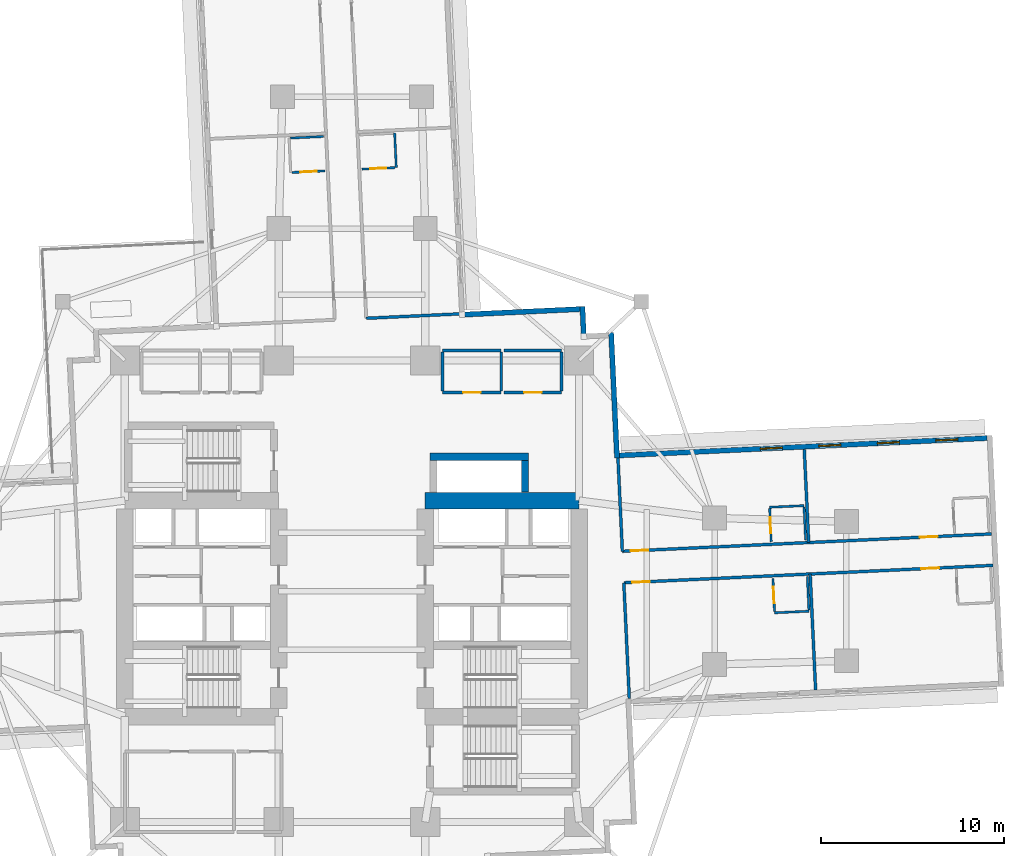
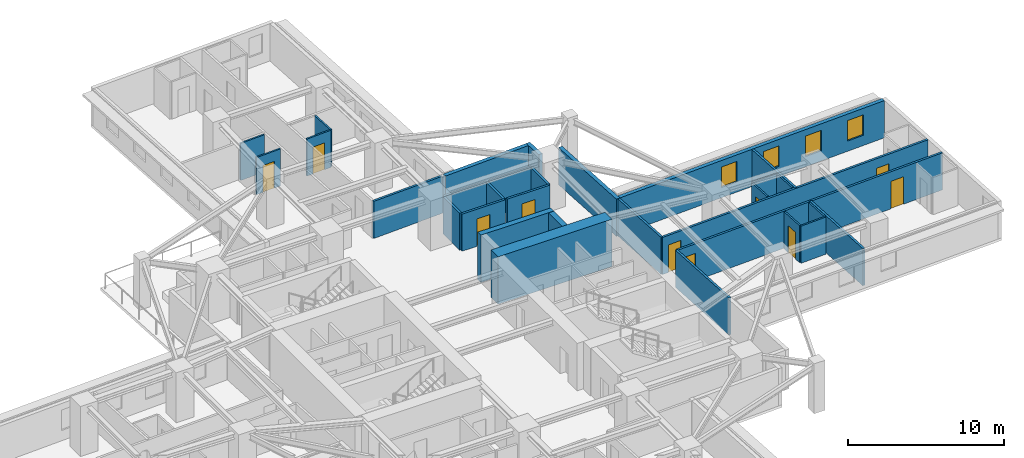
# One storey, part 7 of 14: 31 walls, 10 doors, 4 windows, 14 openings.
"""IFC4 building model written with IfcOpenShell, lengths in metres."""

from ifc_helpers import new_model, si_unit, direction, frame, frame_2d, origin, place, context, subcontext, project, spatial, rectangle, extrude, material, layer, layer_set, type_object, element, fill, save


model = new_model("IFC4")

# Units and contexts
model_context = context("Model", 3, precision=1e-05, world=origin(), true_north=direction((0.0, 1.0)))
body_context = subcontext(model_context, "Body", "Model", "MODEL_VIEW")
ifc_project = project(units=[si_unit("LENGTHUNIT", "METRE"), si_unit("AREAUNIT", "SQUARE_METRE"), si_unit("VOLUMEUNIT", "CUBIC_METRE"), si_unit("PLANEANGLEUNIT", "RADIAN"), si_unit("MASSUNIT", "GRAM", prefix="KILO")], contexts=[model_context])

# Site, building, storey
site_placement = place(None, origin())
site = spatial("IfcSite", under=ifc_project, at=site_placement, CompositionType="ELEMENT")
building_placement = place(site_placement, origin())
building = spatial("IfcBuilding", under=site, at=building_placement, Name="Qingluan Cross Belvedere", CompositionType="ELEMENT")
storey_placement = place(building_placement, frame((0.0, 0.0, 35.39990234375)))
storey = spatial("IfcBuildingStorey", under=building, at=storey_placement, Name="L09", CompositionType="ELEMENT", Elevation=35.39990234375)

# Walls
ifc_material_1 = material(Name="Concrete C50", Category="concrete")
ifc_layer_1 = layer(ifc_material_1, 0.449951171875, Name="CoreShearWall_450")
ifc_layer_set_1 = layer_set([ifc_layer_1], Name="Concrete C50")
wall_type_1 = type_object("IfcWallType", Name="CoreShearWall_450", PredefinedType="SHEAR", material=ifc_layer_set_1)
wall_1_placement = place(storey_placement, frame((4.25, 7.35009765625, 0.0), z_axis=(0.0, 0.0, 1.0), x_axis=(1.0, 0.0, 0.0)))
element("IfcWall", 1, at=wall_1_placement, inside=storey, type_object=wall_type_1, Name="Express shuttle core wall L09-N", PredefinedType="SHEAR", context=body_context, shape_type="SweptSolid", body=[
    extrude(rectangle(XDim=5.39990234375, YDim=0.39990234375, at=frame_2d((2.699951171875, 0.0))), origin(), (0.0, 0.0, 1.0), 3.7001953125),
])
wall_2_placement = place(storey_placement, frame((9.449951171875, 5.405029296875, 0.0), z_axis=(0.0, 0.0, 1.0), x_axis=(0.0, 1.0, 0.0)))
element("IfcWall", 2, at=wall_2_placement, inside=storey, type_object=wall_type_1, Name="Express shuttle core wall L09-E", PredefinedType="SHEAR", context=body_context, shape_type="SweptSolid", body=[
    extrude(rectangle(XDim=1.73486328125, YDim=0.39990234375, at=frame_2d((0.867431640625, 0.0))), origin(), (0.0, 0.0, 1.0), 3.7001953125),
])
ifc_material_2 = material(Name="Concrete C70", Category="concrete")
ifc_layer_2 = layer(ifc_material_2, 0.89990234375, Name="CoreShearWall_900")
ifc_layer_set_2 = layer_set([ifc_layer_2], Name="Concrete C70")
wall_type_2 = type_object("IfcWallType", Name="CoreShearWall_900", PredefinedType="SHEAR", material=ifc_layer_set_2)
wall_3_placement = place(storey_placement, frame((4.0, 4.949951171875, 0.0), z_axis=(0.0, 0.0, 1.0), x_axis=(1.0, 0.0, 0.0)))
element("IfcWall", 3, at=wall_3_placement, inside=storey, type_object=wall_type_2, Name="Split core E shear wall L09-N", PredefinedType="SHEAR", context=body_context, shape_type="SweptSolid", body=[
    extrude(rectangle(XDim=8.39990234375, YDim=0.89990234375, at=frame_2d((4.199951171875, 0.0))), origin(), (0.0, 0.0, 1.0), 3.7001953125),
])

# Wall, opening, door
ifc_material_3 = material(Name="Gypsum plasterboard on steel stud acoustic partition", Category="steel")
ifc_layer_3 = layer(ifc_material_3, 0.159912109375, Name="CorridorPartition_160")
ifc_layer_set_3 = layer_set([ifc_layer_3], Name="Gypsum plasterboard on steel stud acoustic partition")
wall_type_3 = type_object("IfcWallType", Name="CorridorPartition_160", PredefinedType="PARTITIONING", material=ifc_layer_set_3)
wall_4_placement = place(storey_placement, frame((4.949951171875, 10.85009765625, 0.0), z_axis=(0.0, 0.0, 1.0), x_axis=(1.0, 0.0, 0.0)))
wall_4 = element("IfcWall", 4, at=wall_4_placement, inside=storey, type_object=wall_type_3, Name="Partition L09:q_ne1:S", PredefinedType="PARTITIONING", context=body_context, shape_type="SweptSolid", body=[
    extrude(rectangle(XDim=3.199951171875, YDim=0.159912109375, at=frame_2d((1.60009765625, 0.0))), origin(), (0.0, 0.0, 1.0), 2.900146484375),
])
opening_1_placement = place(wall_4_placement, frame((1.1201171875, 0.0, 0.0)))
opening_1 = element("IfcOpeningElement", 5, at=opening_1_placement, cuts=wall_4, Name="Opening GD-10", PredefinedType="OPENING", context=body_context, shape_type="SweptSolid", body=[
    extrude(rectangle(XDim=0.9599609375, YDim=2.14990234375, at=frame_2d((0.47998046875, 1.074951171875))), frame((0.0, 0.08984375, 0.0), z_axis=(0.0, -1.0, 0.0), x_axis=(1.0, 0.0, 0.0)), (0.0, 0.0, 1.0), 0.179931640625),
])
ifc_material_4 = material(Name="Timber oak fire-rated acoustic guestroom door", Category="wood")
door_type_1 = type_object("IfcDoorType", Name="GuestEntryDoor_FD60", OperationType="NOTDEFINED", PredefinedType="DOOR", material=ifc_material_4)
door_1_placement = place(opening_1_placement, origin())
door_1 = element("IfcDoor", 6, at=door_1_placement, inside=storey, type_object=door_type_1, Name="Presidential dining salon L09 door", OperationType="SINGLE_SWING_LEFT", OverallHeight=2.14990234375, OverallWidth=0.9599609375, PredefinedType="DOOR", context=body_context, shape_type="SweptSolid", body=[
    extrude(rectangle(XDim=0.9599609375, YDim=2.14990234375, at=frame_2d((0.47998046875, 1.074951171875))), frame((0.0, 0.02490234375, 0.0), z_axis=(0.0, -1.0, 0.0), x_axis=(1.0, 0.0, 0.0)), (0.0, 0.0, 1.0), 0.050048828125),
])
fill(opening_1, door_1)

# Walls
wall_5_placement = place(storey_placement, frame((4.949951171875, 13.14990234375, 0.0), z_axis=(0.0, 0.0, 1.0), x_axis=(1.0, 0.0, 0.0)))
element("IfcWall", 7, at=wall_5_placement, inside=storey, type_object=wall_type_3, Name="Partition L09:q_ne1:N", PredefinedType="PARTITIONING", context=body_context, shape_type="SweptSolid", body=[
    extrude(rectangle(XDim=3.199951171875, YDim=0.159912109375, at=frame_2d((1.60009765625, 0.0))), origin(), (0.0, 0.0, 1.0), 2.900146484375),
])
for number, where, z_axis, x_axis, name in (
    (8, (4.949951171875, 10.93505859375, 0.0), (0.0, 0.0, 1.0), (0.0, 1.0, 0.0), "Partition L09:q_ne1:W"),
    (9, (8.14990234375, 10.93505859375, 0.0), (0.0, 0.0, 1.0), (0.0, 1.0, 0.0), "Partition L09:q_ne1:E"),
):
    element("IfcWall", number, at=place(storey_placement, frame(where, z_axis=z_axis, x_axis=x_axis)), inside=storey, type_object=wall_type_3, Name=name, PredefinedType="PARTITIONING", context=body_context, shape_type="SweptSolid", body=[
        extrude(rectangle(XDim=2.1298828125, YDim=0.159912109375, at=frame_2d((1.06494140625, 0.0))), origin(), (0.0, 0.0, 1.0), 2.900146484375),
    ])

# Wall, opening, door
wall_6_placement = place(storey_placement, frame((8.31005859375, 10.85009765625, 0.0), z_axis=(0.0, 0.0, 1.0), x_axis=(1.0, 0.0, 0.0)))
wall_6 = element("IfcWall", 10, at=wall_6_placement, inside=storey, type_object=wall_type_3, Name="Partition L09:q_ne2:S", PredefinedType="PARTITIONING", context=body_context, shape_type="SweptSolid", body=[
    extrude(rectangle(XDim=3.139892578125, YDim=0.159912109375, at=frame_2d((1.56982421875, 0.0))), origin(), (0.0, 0.0, 1.0), 2.900146484375),
])
opening_2_placement = place(wall_6_placement, frame((1.090087890625, 0.0, 0.0)))
opening_2 = element("IfcOpeningElement", 11, at=opening_2_placement, cuts=wall_6, Name="Opening GD-10", PredefinedType="OPENING", context=body_context, shape_type="SweptSolid", body=[
    extrude(rectangle(XDim=0.9599609375, YDim=2.14990234375, at=frame_2d((0.47998046875, 1.074951171875))), frame((0.0, 0.08984375, 0.0), z_axis=(0.0, -1.0, 0.0), x_axis=(1.0, 0.0, 0.0)), (0.0, 0.0, 1.0), 0.179931640625),
])
door_2_placement = place(opening_2_placement, origin())
door_2 = element("IfcDoor", 12, at=door_2_placement, inside=storey, type_object=door_type_1, Name="Northeast quiet study L09 door", OperationType="SINGLE_SWING_RIGHT", OverallHeight=2.14990234375, OverallWidth=0.9599609375, PredefinedType="DOOR", context=body_context, shape_type="SweptSolid", body=[
    extrude(rectangle(XDim=0.9599609375, YDim=2.14990234375, at=frame_2d((0.47998046875, 1.074951171875))), frame((0.0, 0.02490234375, 0.0), z_axis=(0.0, -1.0, 0.0), x_axis=(1.0, 0.0, 0.0)), (0.0, 0.0, 1.0), 0.050048828125),
])
fill(opening_2, door_2)

# Walls
wall_7_placement = place(storey_placement, frame((8.31005859375, 13.14990234375, 0.0), z_axis=(0.0, 0.0, 1.0), x_axis=(1.0, 0.0, 0.0)))
element("IfcWall", 13, at=wall_7_placement, inside=storey, type_object=wall_type_3, Name="Partition L09:q_ne2:N", PredefinedType="PARTITIONING", context=body_context, shape_type="SweptSolid", body=[
    extrude(rectangle(XDim=3.139892578125, YDim=0.159912109375, at=frame_2d((1.56982421875, 0.0))), origin(), (0.0, 0.0, 1.0), 2.900146484375),
])
wall_8_placement = place(storey_placement, frame((11.449951171875, 10.93505859375, 0.0), z_axis=(0.0, 0.0, 1.0), x_axis=(0.0, 1.0, 0.0)))
element("IfcWall", 14, at=wall_8_placement, inside=storey, type_object=wall_type_3, Name="Partition L09:q_ne2:E", PredefinedType="PARTITIONING", context=body_context, shape_type="SweptSolid", body=[
    extrude(rectangle(XDim=2.1298828125, YDim=0.159912109375, at=frame_2d((1.06494140625, 0.0))), origin(), (0.0, 0.0, 1.0), 2.900146484375),
])

# Wall, openings, doors
wall_9_placement = place(storey_placement, frame((14.763916015625, 2.177978515625, 0.0), z_axis=(0.0, 0.0, 1.0), x_axis=(0.998889899911, 0.047105921672, 0.0)))
wall_9 = element("IfcWall", 15, at=wall_9_placement, inside=storey, type_object=wall_type_3, Name="Partition L09:E:c0", PredefinedType="PARTITIONING", context=body_context, shape_type="SweptSolid", body=[
    extrude(rectangle(XDim=20.181884765625, YDim=0.159912109375, at=frame_2d((10.0908203125, 0.0))), origin(), (0.0, 0.0, 1.0), 2.900146484375),
])
opening_3_placement = place(wall_9_placement, frame((0.449951171875, 0.0, 0.0)))
opening_3 = element("IfcOpeningElement", 16, at=opening_3_placement, cuts=wall_9, Name="Opening GD-10", PredefinedType="OPENING", context=body_context, shape_type="SweptSolid", body=[
    extrude(rectangle(XDim=0.9599609375, YDim=2.14990234375, at=frame_2d((0.47998046875, 1.074951171875))), frame((0.0, 0.08984375, 0.0), z_axis=(0.0, -1.0, 0.0), x_axis=(1.0, 0.0, 0.0)), (0.0, 0.0, 1.0), 0.179931640625),
])
opening_4_placement = place(wall_9_placement, frame((16.26806640625, 0.0, 0.0)))
opening_4 = element("IfcOpeningElement", 17, at=opening_4_placement, cuts=wall_9, Name="Opening GD-10", PredefinedType="OPENING", context=body_context, shape_type="SweptSolid", body=[
    extrude(rectangle(XDim=0.9599609375, YDim=2.14990234375, at=frame_2d((0.47998046875, 1.074951171875))), frame((0.0, 0.08984375, 0.0), z_axis=(0.0, -1.0, 0.0), x_axis=(1.0, 0.0, 0.0)), (0.0, 0.0, 1.0), 0.179931640625),
])
door_3_placement = place(opening_3_placement, origin())
door_3 = element("IfcDoor", 18, at=door_3_placement, inside=storey, type_object=door_type_1, Name="Guest entry fire door 0901", OperationType="SINGLE_SWING_LEFT", OverallHeight=2.14990234375, OverallWidth=0.9599609375, PredefinedType="DOOR", context=body_context, shape_type="SweptSolid", body=[
    extrude(rectangle(XDim=0.9599609375, YDim=2.14990234375, at=frame_2d((0.47998046875, 1.074951171875))), frame((0.0, 0.02490234375, 0.0), z_axis=(0.0, -1.0, 0.0), x_axis=(1.0, 0.0, 0.0)), (0.0, 0.0, 1.0), 0.050048828125),
])
fill(opening_3, door_3)
door_4_placement = place(opening_4_placement, origin())
door_4 = element("IfcDoor", 19, at=door_4_placement, inside=storey, type_object=door_type_1, Name="Guest entry fire door 0902", OperationType="SINGLE_SWING_LEFT", OverallHeight=2.14990234375, OverallWidth=0.9599609375, PredefinedType="DOOR", context=body_context, shape_type="SweptSolid", body=[
    extrude(rectangle(XDim=0.9599609375, YDim=2.14990234375, at=frame_2d((0.47998046875, 1.074951171875))), frame((0.0, 0.02490234375, 0.0), z_axis=(0.0, -1.0, 0.0), x_axis=(1.0, 0.0, 0.0)), (0.0, 0.0, 1.0), 0.050048828125),
])
fill(opening_4, door_4)

# Walls
wall_10_placement = place(storey_placement, frame((14.763916015625, 2.177978515625, 0.0), z_axis=(0.0, 0.0, 1.0), x_axis=(-0.047130059153, 0.998888761336, 0.0)))
element("IfcWall", 20, at=wall_10_placement, inside=storey, type_object=wall_type_3, Name="Partition L09:E:s0", PredefinedType="PARTITIONING", context=body_context, shape_type="SweptSolid", body=[
    extrude(rectangle(XDim=5.092041015625, YDim=0.159912109375, at=frame_2d((2.5458984375, 0.0))), origin(), (0.0, 0.0, 1.0), 2.900146484375),
])
wall_11_placement = place(storey_placement, frame((24.9375, 2.65771484375, 0.0), z_axis=(0.0, 0.0, 1.0), x_axis=(-0.047084475335, 0.998890911052, 0.0)))
element("IfcWall", 21, at=wall_11_placement, inside=storey, type_object=wall_type_3, Name="Partition L09:E:d0_0", PredefinedType="PARTITIONING", context=body_context, shape_type="SweptSolid", body=[
    extrude(rectangle(XDim=5.091796875, YDim=0.159912109375, at=frame_2d((2.5458984375, 0.0))), origin(), (0.0, 0.0, 1.0), 2.900146484375),
])

# Wall, openings, doors
wall_12_placement = place(storey_placement, frame((14.8447265625, 0.459716796875, 0.0), z_axis=(0.0, 0.0, 1.0), x_axis=(0.998889926753, 0.047105352469, 0.0)))
wall_12 = element("IfcWall", 22, at=wall_12_placement, inside=storey, type_object=wall_type_3, Name="Partition L09:E:c1", PredefinedType="PARTITIONING", context=body_context, shape_type="SweptSolid", body=[
    extrude(rectangle(XDim=20.18212890625, YDim=0.159912109375, at=frame_2d((10.091064453125, 0.0))), origin(), (0.0, 0.0, 1.0), 2.900146484375),
])
opening_5_placement = place(wall_12_placement, frame((0.449951171875, 0.0, 0.0)))
opening_5 = element("IfcOpeningElement", 23, at=opening_5_placement, cuts=wall_12, Name="Opening GD-10", PredefinedType="OPENING", context=body_context, shape_type="SweptSolid", body=[
    extrude(rectangle(XDim=0.9599609375, YDim=2.14990234375, at=frame_2d((0.47998046875, 1.074951171875))), frame((0.0, 0.08984375, 0.0), z_axis=(0.0, -1.0, 0.0), x_axis=(1.0, 0.0, 0.0)), (0.0, 0.0, 1.0), 0.179931640625),
])
opening_6_placement = place(wall_12_placement, frame((16.26806640625, 0.0, 0.0)))
opening_6 = element("IfcOpeningElement", 24, at=opening_6_placement, cuts=wall_12, Name="Opening GD-10", PredefinedType="OPENING", context=body_context, shape_type="SweptSolid", body=[
    extrude(rectangle(XDim=0.9599609375, YDim=2.14990234375, at=frame_2d((0.47998046875, 1.074951171875))), frame((0.0, 0.08984375, 0.0), z_axis=(0.0, -1.0, 0.0), x_axis=(1.0, 0.0, 0.0)), (0.0, 0.0, 1.0), 0.179931640625),
])
door_5_placement = place(opening_5_placement, origin())
door_5 = element("IfcDoor", 25, at=door_5_placement, inside=storey, type_object=door_type_1, Name="Guest entry fire door 0903", OperationType="SINGLE_SWING_LEFT", OverallHeight=2.14990234375, OverallWidth=0.9599609375, PredefinedType="DOOR", context=body_context, shape_type="SweptSolid", body=[
    extrude(rectangle(XDim=0.9599609375, YDim=2.14990234375, at=frame_2d((0.47998046875, 1.074951171875))), frame((0.0, 0.02490234375, 0.0), z_axis=(0.0, -1.0, 0.0), x_axis=(1.0, 0.0, 0.0)), (0.0, 0.0, 1.0), 0.050048828125),
])
fill(opening_5, door_5)
door_6_placement = place(opening_6_placement, origin())
door_6 = element("IfcDoor", 26, at=door_6_placement, inside=storey, type_object=door_type_1, Name="Guest entry fire door 0904", OperationType="SINGLE_SWING_LEFT", OverallHeight=2.14990234375, OverallWidth=0.9599609375, PredefinedType="DOOR", context=body_context, shape_type="SweptSolid", body=[
    extrude(rectangle(XDim=0.9599609375, YDim=2.14990234375, at=frame_2d((0.47998046875, 1.074951171875))), frame((0.0, 0.02490234375, 0.0), z_axis=(0.0, -1.0, 0.0), x_axis=(1.0, 0.0, 0.0)), (0.0, 0.0, 1.0), 0.050048828125),
])
fill(opening_6, door_6)

# Walls
wall_13_placement = place(storey_placement, frame((14.8447265625, 0.459716796875, 0.0), z_axis=(0.0, 0.0, 1.0), x_axis=(0.047116333717, -0.998889408842, 0.0)))
element("IfcWall", 27, at=wall_13_placement, inside=storey, type_object=wall_type_3, Name="Partition L09:E:s1", PredefinedType="PARTITIONING", context=body_context, shape_type="SweptSolid", body=[
    extrude(rectangle(XDim=6.33203125, YDim=0.159912109375, at=frame_2d((3.166015625, 0.0))), origin(), (0.0, 0.0, 1.0), 2.900146484375),
])
wall_14_placement = place(storey_placement, frame((25.0185546875, 0.939697265625, 0.0), z_axis=(0.0, 0.0, 1.0), x_axis=(0.047114519152, -0.998889494431, 0.0)))
element("IfcWall", 28, at=wall_14_placement, inside=storey, type_object=wall_type_3, Name="Partition L09:E:d1_0", PredefinedType="PARTITIONING", context=body_context, shape_type="SweptSolid", body=[
    extrude(rectangle(XDim=6.332275390625, YDim=0.159912109375, at=frame_2d((3.166015625, 0.0))), origin(), (0.0, 0.0, 1.0), 2.900146484375),
])
wall_15_placement = place(storey_placement, frame((0.77880859375, 14.9033203125, 0.0), z_axis=(0.0, 0.0, 1.0), x_axis=(0.998889957338, 0.047104703898, 0.0)))
element("IfcWall", 29, at=wall_15_placement, inside=storey, type_object=wall_type_3, Name="Partition L09:N:s0", PredefinedType="PARTITIONING", context=body_context, shape_type="SweptSolid", body=[
    extrude(rectangle(XDim=5.239990234375, YDim=0.159912109375, at=frame_2d((2.6201171875, 0.0))), origin(), (0.0, 0.0, 1.0), 2.900146484375),
])

# Wall, opening, door
ifc_material_5 = material(Name="Moisture-resistant gypsum board lining")
ifc_layer_4 = layer(ifc_material_5, 0.1201171875, Name="EnsuiteWetPartition_120")
ifc_layer_set_4 = layer_set([ifc_layer_4], Name="Moisture-resistant gypsum board lining")
wall_type_4 = type_object("IfcWallType", Name="EnsuiteWetPartition_120", PredefinedType="PARTITIONING", material=ifc_layer_set_4)
wall_16_placement = place(storey_placement, frame((22.893310546875, 2.701416015625, 0.0), z_axis=(0.0, 0.0, 1.0), x_axis=(-0.047220968666, 0.998884467853, 0.0)))
wall_16 = element("IfcWall", 30, at=wall_16_placement, inside=storey, type_object=wall_type_4, Name="Partition L09:E:bs0_0", PredefinedType="PARTITIONING", context=body_context, shape_type="SweptSolid", body=[
    extrude(rectangle(XDim=1.81982421875, YDim=0.1201171875, at=frame_2d((0.909912109375, 0.0))), origin(), (0.0, 0.0, 1.0), 2.900146484375),
])
opening_7_placement = place(wall_16_placement, frame((0.469970703125, 0.0, 0.0)))
opening_7 = element("IfcOpeningElement", 31, at=opening_7_placement, cuts=wall_16, Name="Opening BD-09", PredefinedType="OPENING", context=body_context, shape_type="SweptSolid", body=[
    extrude(rectangle(XDim=0.8798828125, YDim=2.10009765625, at=frame_2d((0.43994140625, 1.050048828125))), frame((0.0, 0.070068359375, 0.0), z_axis=(0.0, -1.0, 0.0), x_axis=(1.0, 0.0, 0.0)), (0.0, 0.0, 1.0), 0.14013671875),
])
ifc_material_6 = material(Name="Moisture-sealed timber en-suite door", Category="wood")
door_type_2 = type_object("IfcDoorType", Name="BathroomDoor_880", OperationType="NOTDEFINED", PredefinedType="DOOR", material=ifc_material_6)
door_7_placement = place(opening_7_placement, origin())
door_7 = element("IfcDoor", 32, at=door_7_placement, inside=storey, type_object=door_type_2, Name="Bathroom door 0901", OperationType="SINGLE_SWING_RIGHT", OverallHeight=2.10009765625, OverallWidth=0.8798828125, PredefinedType="DOOR", context=body_context, shape_type="SweptSolid", body=[
    extrude(rectangle(XDim=0.8798828125, YDim=2.10009765625, at=frame_2d((0.43994140625, 1.050048828125))), frame((0.0, 0.02490234375, 0.0), z_axis=(0.0, -1.0, 0.0), x_axis=(1.0, 0.0, 0.0)), (0.0, 0.0, 1.0), 0.050048828125),
])
fill(opening_7, door_7)

# Walls
wall_17_placement = place(storey_placement, frame((24.77099609375, 2.7900390625, 0.0), z_axis=(0.0, 0.0, 1.0), x_axis=(-0.047087116047, 0.998890786574, 0.0)))
element("IfcWall", 33, at=wall_17_placement, inside=storey, type_object=wall_type_4, Name="Partition L09:E:bw0_0", PredefinedType="PARTITIONING", context=body_context, shape_type="SweptSolid", body=[
    extrude(rectangle(XDim=1.81982421875, YDim=0.1201171875, at=frame_2d((0.909912109375, 0.0))), origin(), (0.0, 0.0, 1.0), 2.900146484375),
])
wall_18_placement = place(storey_placement, frame((22.804443359375, 4.584228515625, 0.0), z_axis=(0.0, 0.0, 1.0), x_axis=(0.998888319371, 0.047139425368, 0.0)))
element("IfcWall", 34, at=wall_18_placement, inside=storey, type_object=wall_type_4, Name="Partition L09:E:bn0_0", PredefinedType="PARTITIONING", context=body_context, shape_type="SweptSolid", body=[
    extrude(rectangle(XDim=1.880126953125, YDim=0.1201171875, at=frame_2d((0.93994140625, 0.0))), origin(), (0.0, 0.0, 1.0), 2.900146484375),
])

# Wall, opening, door
wall_19_placement = place(storey_placement, frame((23.072998046875, -1.1142578125, 0.0), z_axis=(0.0, 0.0, 1.0), x_axis=(-0.047087116047, 0.998890786574, 0.0)))
wall_19 = element("IfcWall", 35, at=wall_19_placement, inside=storey, type_object=wall_type_4, Name="Partition L09:E:bs1_0", PredefinedType="PARTITIONING", context=body_context, shape_type="SweptSolid", body=[
    extrude(rectangle(XDim=1.81982421875, YDim=0.1201171875, at=frame_2d((0.909912109375, 0.0))), origin(), (0.0, 0.0, 1.0), 2.900146484375),
])
opening_8_placement = place(wall_19_placement, frame((0.469970703125, 0.0, 0.0)))
opening_8 = element("IfcOpeningElement", 36, at=opening_8_placement, cuts=wall_19, Name="Opening BD-09", PredefinedType="OPENING", context=body_context, shape_type="SweptSolid", body=[
    extrude(rectangle(XDim=0.8798828125, YDim=2.10009765625, at=frame_2d((0.43994140625, 1.050048828125))), frame((0.0, 0.070068359375, 0.0), z_axis=(0.0, -1.0, 0.0), x_axis=(1.0, 0.0, 0.0)), (0.0, 0.0, 1.0), 0.14013671875),
])
door_8_placement = place(opening_8_placement, origin())
door_8 = element("IfcDoor", 37, at=door_8_placement, inside=storey, type_object=door_type_2, Name="Bathroom door 0903", OperationType="SINGLE_SWING_RIGHT", OverallHeight=2.10009765625, OverallWidth=0.8798828125, PredefinedType="DOOR", context=body_context, shape_type="SweptSolid", body=[
    extrude(rectangle(XDim=0.8798828125, YDim=2.10009765625, at=frame_2d((0.43994140625, 1.050048828125))), frame((0.0, 0.02490234375, 0.0), z_axis=(0.0, -1.0, 0.0), x_axis=(1.0, 0.0, 0.0)), (0.0, 0.0, 1.0), 0.050048828125),
])
fill(opening_8, door_8)

# Walls
wall_20_placement = place(storey_placement, frame((24.950927734375, -1.02587890625, 0.0), z_axis=(0.0, 0.0, 1.0), x_axis=(-0.047080807099, 0.998891083954, 0.0)))
element("IfcWall", 38, at=wall_20_placement, inside=storey, type_object=wall_type_4, Name="Partition L09:E:bw1_0", PredefinedType="PARTITIONING", context=body_context, shape_type="SweptSolid", body=[
    extrude(rectangle(XDim=1.820068359375, YDim=0.1201171875, at=frame_2d((0.91015625, 0.0))), origin(), (0.0, 0.0, 1.0), 2.900146484375),
])
wall_21_placement = place(storey_placement, frame((23.076171875, -1.17919921875, 0.0), z_axis=(0.0, 0.0, 1.0), x_axis=(0.998894425757, 0.04700985207, 0.0)))
element("IfcWall", 39, at=wall_21_placement, inside=storey, type_object=wall_type_4, Name="Partition L09:E:bc1_0", PredefinedType="PARTITIONING", context=body_context, shape_type="SweptSolid", body=[
    extrude(rectangle(XDim=1.880126953125, YDim=0.1201171875, at=frame_2d((0.93994140625, 0.0))), origin(), (0.0, 0.0, 1.0), 2.900146484375),
])

# Wall, opening, door
wall_22_placement = place(storey_placement, frame((0.534912109375, 23.0458984375, 0.0), z_axis=(0.0, 0.0, 1.0), x_axis=(0.998891083954, 0.047080807099, 0.0)))
wall_22 = element("IfcWall", 40, at=wall_22_placement, inside=storey, type_object=wall_type_4, Name="Partition L09:N:bs0_0", PredefinedType="PARTITIONING", context=body_context, shape_type="SweptSolid", body=[
    extrude(rectangle(XDim=1.820068359375, YDim=0.1201171875, at=frame_2d((0.91015625, 0.0))), origin(), (0.0, 0.0, 1.0), 2.900146484375),
])
opening_9_placement = place(wall_22_placement, frame((0.469970703125, 0.0, 0.0)))
opening_9 = element("IfcOpeningElement", 41, at=opening_9_placement, cuts=wall_22, Name="Opening BD-09", PredefinedType="OPENING", context=body_context, shape_type="SweptSolid", body=[
    extrude(rectangle(XDim=0.8798828125, YDim=2.10009765625, at=frame_2d((0.43994140625, 1.050048828125))), frame((0.0, 0.070068359375, 0.0), z_axis=(0.0, -1.0, 0.0), x_axis=(1.0, 0.0, 0.0)), (0.0, 0.0, 1.0), 0.14013671875),
])
door_9_placement = place(opening_9_placement, origin())
door_9 = element("IfcDoor", 42, at=door_9_placement, inside=storey, type_object=door_type_2, Name="Bathroom door 0909", OperationType="SINGLE_SWING_RIGHT", OverallHeight=2.10009765625, OverallWidth=0.8798828125, PredefinedType="DOOR", context=body_context, shape_type="SweptSolid", body=[
    extrude(rectangle(XDim=0.8798828125, YDim=2.10009765625, at=frame_2d((0.43994140625, 1.050048828125))), frame((0.0, 0.02490234375, 0.0), z_axis=(0.0, -1.0, 0.0), x_axis=(1.0, 0.0, 0.0)), (0.0, 0.0, 1.0), 0.050048828125),
])
fill(opening_9, door_9)

# Wall
wall_23_placement = place(storey_placement, frame((2.41796875, 23.134521484375, 0.0), z_axis=(0.0, 0.0, 1.0), x_axis=(-0.047139425368, 0.998888319371, 0.0)))
element("IfcWall", 43, at=wall_23_placement, inside=storey, type_object=wall_type_4, Name="Partition L09:N:bn0_0", PredefinedType="PARTITIONING", context=body_context, shape_type="SweptSolid", body=[
    extrude(rectangle(XDim=1.880126953125, YDim=0.1201171875, at=frame_2d((0.93994140625, 0.0))), origin(), (0.0, 0.0, 1.0), 2.900146484375),
])

# Wall, opening, door
wall_24_placement = place(storey_placement, frame((-3.28076171875, 22.86572265625, 0.0), z_axis=(0.0, 0.0, 1.0), x_axis=(0.998884467853, 0.047220968666, 0.0)))
wall_24 = element("IfcWall", 44, at=wall_24_placement, inside=storey, type_object=wall_type_4, Name="Partition L09:N:bs1_0", PredefinedType="PARTITIONING", context=body_context, shape_type="SweptSolid", body=[
    extrude(rectangle(XDim=1.81982421875, YDim=0.1201171875, at=frame_2d((0.909912109375, 0.0))), origin(), (0.0, 0.0, 1.0), 2.900146484375),
])
opening_10_placement = place(wall_24_placement, frame((0.469970703125, 0.0, 0.0)))
opening_10 = element("IfcOpeningElement", 45, at=opening_10_placement, cuts=wall_24, Name="Opening BD-09", PredefinedType="OPENING", context=body_context, shape_type="SweptSolid", body=[
    extrude(rectangle(XDim=0.8798828125, YDim=2.10009765625, at=frame_2d((0.43994140625, 1.050048828125))), frame((0.0, 0.070068359375, 0.0), z_axis=(0.0, -1.0, 0.0), x_axis=(1.0, 0.0, 0.0)), (0.0, 0.0, 1.0), 0.14013671875),
])
door_10_placement = place(opening_10_placement, origin())
door_10 = element("IfcDoor", 46, at=door_10_placement, inside=storey, type_object=door_type_2, Name="Bathroom door 0911", OperationType="SINGLE_SWING_RIGHT", OverallHeight=2.10009765625, OverallWidth=0.8798828125, PredefinedType="DOOR", context=body_context, shape_type="SweptSolid", body=[
    extrude(rectangle(XDim=0.8798828125, YDim=2.10009765625, at=frame_2d((0.43994140625, 1.050048828125))), frame((0.0, 0.02490234375, 0.0), z_axis=(0.0, -1.0, 0.0), x_axis=(1.0, 0.0, 0.0)), (0.0, 0.0, 1.0), 0.050048828125),
])
fill(opening_10, door_10)

# Wall
wall_25_placement = place(storey_placement, frame((-3.369384765625, 24.743896484375, 0.0), z_axis=(0.0, 0.0, 1.0), x_axis=(0.998890786574, 0.047087116047, 0.0)))
element("IfcWall", 47, at=wall_25_placement, inside=storey, type_object=wall_type_4, Name="Partition L09:N:bw1_0", PredefinedType="PARTITIONING", context=body_context, shape_type="SweptSolid", body=[
    extrude(rectangle(XDim=1.81982421875, YDim=0.1201171875, at=frame_2d((0.909912109375, 0.0))), origin(), (0.0, 0.0, 1.0), 2.900146484375),
])

# Wall, openings, windows
ifc_material_7 = material(Name="Precast concrete C45", Category="concrete")
ifc_layer_5 = layer(ifc_material_7, 0.280029296875, Name="PrecastFacadeWall_280")
ifc_layer_set_5 = layer_set([ifc_layer_5], Name="Precast concrete C45")
wall_type_5 = type_object("IfcWallType", Name="PrecastFacadeWall_280", PredefinedType="STANDARD", material=ifc_layer_set_5)
wall_26_placement = place(storey_placement, frame((34.6845703125, 8.363037109375, 0.0), z_axis=(0.0, 0.0, 1.0), x_axis=(-0.998890015344, -0.047103473814, 0.0)))
wall_26 = element("IfcWall", 48, at=wall_26_placement, inside=storey, type_object=wall_type_5, Name="Facade wall L09-EB", PredefinedType="STANDARD", context=body_context, shape_type="SweptSolid", body=[
    extrude(rectangle(XDim=20.099853515625, YDim=0.280029296875, at=frame_2d((10.0498046875, 0.0))), origin(), (0.0, 0.0, 1.0), 2.91015625),
])
opening_11_placement = place(wall_26_placement, frame((1.60009765625, 0.0, 0.800048828125)))
opening_11 = element("IfcOpeningElement", 49, at=opening_11_placement, cuts=wall_26, Name="Opening W-02", PredefinedType="OPENING", context=body_context, shape_type="SweptSolid", body=[
    extrude(rectangle(XDim=1.199951171875, YDim=1.60009765625, at=frame_2d((0.60009765625, 0.800048828125))), frame((0.0, 0.14990234375, 0.0), z_axis=(0.0, -1.0, 0.0), x_axis=(1.0, 0.0, 0.0)), (0.0, 0.0, 1.0), 0.300048828125),
])
opening_12_placement = place(wall_26_placement, frame((4.800048828125, 0.0, 0.800048828125)))
opening_12 = element("IfcOpeningElement", 50, at=opening_12_placement, cuts=wall_26, Name="Opening W-02", PredefinedType="OPENING", context=body_context, shape_type="SweptSolid", body=[
    extrude(rectangle(XDim=1.199951171875, YDim=1.60009765625, at=frame_2d((0.60009765625, 0.800048828125))), frame((0.0, 0.14990234375, 0.0), z_axis=(0.0, -1.0, 0.0), x_axis=(1.0, 0.0, 0.0)), (0.0, 0.0, 1.0), 0.300048828125),
])
opening_13_placement = place(wall_26_placement, frame((8.0, 0.0, 0.800048828125)))
opening_13 = element("IfcOpeningElement", 51, at=opening_13_placement, cuts=wall_26, Name="Opening W-02", PredefinedType="OPENING", context=body_context, shape_type="SweptSolid", body=[
    extrude(rectangle(XDim=1.199951171875, YDim=1.60009765625, at=frame_2d((0.60009765625, 0.800048828125))), frame((0.0, 0.14990234375, 0.0), z_axis=(0.0, -1.0, 0.0), x_axis=(1.0, 0.0, 0.0)), (0.0, 0.0, 1.0), 0.300048828125),
])
opening_14_placement = place(wall_26_placement, frame((11.199951171875, 0.0, 0.800048828125)))
opening_14 = element("IfcOpeningElement", 52, at=opening_14_placement, cuts=wall_26, Name="Opening W-02", PredefinedType="OPENING", context=body_context, shape_type="SweptSolid", body=[
    extrude(rectangle(XDim=1.199951171875, YDim=1.60009765625, at=frame_2d((0.60009765625, 0.800048828125))), frame((0.0, 0.14990234375, 0.0), z_axis=(0.0, -1.0, 0.0), x_axis=(1.0, 0.0, 0.0)), (0.0, 0.0, 1.0), 0.300048828125),
])
ifc_material_8 = material(Name="Thermally broken triple Low-E glass in aluminium frame", Category="aluminium")
window_type = type_object("IfcWindowType", Name="TriRibbonWin_1200x1600", PartitioningType="SINGLE_PANEL", PredefinedType="WINDOW", material=ifc_material_8)
window_1_placement = place(opening_11_placement, origin())
window_1 = element("IfcWindow", 53, at=window_1_placement, inside=storey, type_object=window_type, Name="Ribbon window L09-EB-1", OverallHeight=1.60009765625, OverallWidth=1.199951171875, PartitioningType="SINGLE_PANEL", PredefinedType="WINDOW", context=body_context, shape_type="SweptSolid", body=[
    extrude(rectangle(XDim=1.199951171875, YDim=1.60009765625, at=frame_2d((0.60009765625, 0.800048828125))), frame((0.0, 0.030029296875, 0.0), z_axis=(0.0, -1.0, 0.0), x_axis=(1.0, 0.0, 0.0)), (0.0, 0.0, 1.0), 0.06005859375),
])
fill(opening_11, window_1)
window_2_placement = place(opening_12_placement, origin())
window_2 = element("IfcWindow", 54, at=window_2_placement, inside=storey, type_object=window_type, Name="Ribbon window L09-EB-2", OverallHeight=1.60009765625, OverallWidth=1.199951171875, PartitioningType="SINGLE_PANEL", PredefinedType="WINDOW", context=body_context, shape_type="SweptSolid", body=[
    extrude(rectangle(XDim=1.199951171875, YDim=1.60009765625, at=frame_2d((0.60009765625, 0.800048828125))), frame((0.0, 0.030029296875, 0.0), z_axis=(0.0, -1.0, 0.0), x_axis=(1.0, 0.0, 0.0)), (0.0, 0.0, 1.0), 0.06005859375),
])
fill(opening_12, window_2)
window_3_placement = place(opening_13_placement, origin())
window_3 = element("IfcWindow", 55, at=window_3_placement, inside=storey, type_object=window_type, Name="Ribbon window L09-EB-3", OverallHeight=1.60009765625, OverallWidth=1.199951171875, PartitioningType="SINGLE_PANEL", PredefinedType="WINDOW", context=body_context, shape_type="SweptSolid", body=[
    extrude(rectangle(XDim=1.199951171875, YDim=1.60009765625, at=frame_2d((0.60009765625, 0.800048828125))), frame((0.0, 0.030029296875, 0.0), z_axis=(0.0, -1.0, 0.0), x_axis=(1.0, 0.0, 0.0)), (0.0, 0.0, 1.0), 0.06005859375),
])
fill(opening_13, window_3)
window_4_placement = place(opening_14_placement, origin())
window_4 = element("IfcWindow", 56, at=window_4_placement, inside=storey, type_object=window_type, Name="Ribbon window L09-EB-4", OverallHeight=1.60009765625, OverallWidth=1.199951171875, PartitioningType="SINGLE_PANEL", PredefinedType="WINDOW", context=body_context, shape_type="SweptSolid", body=[
    extrude(rectangle(XDim=1.199951171875, YDim=1.60009765625, at=frame_2d((0.60009765625, 0.800048828125))), frame((0.0, 0.030029296875, 0.0), z_axis=(0.0, -1.0, 0.0), x_axis=(1.0, 0.0, 0.0)), (0.0, 0.0, 1.0), 0.06005859375),
])
fill(opening_14, window_4)

# Walls
wall_27_placement = place(storey_placement, frame((14.4736328125, 7.27001953125, 0.0), z_axis=(0.0, 0.0, 1.0), x_axis=(-0.04712043756, 0.998889215261, 0.0)))
element("IfcWall", 57, at=wall_27_placement, inside=storey, type_object=wall_type_5, Name="Corner wall L09-NE1", PredefinedType="STANDARD", context=body_context, shape_type="SweptSolid", body=[
    extrude(rectangle(XDim=6.85986328125, YDim=0.280029296875, at=frame_2d((3.429931640625, 0.0))), origin(), (0.0, 0.0, 1.0), 2.91015625),
])
wall_28_placement = place(storey_placement, frame((12.652099609375, 14.051513671875, 0.0), z_axis=(0.0, 0.0, 1.0), x_axis=(-0.047039284441, 0.99889304018, 0.0)))
element("IfcWall", 58, at=wall_28_placement, inside=storey, type_object=wall_type_5, Name="Corner wall L09-NE3", PredefinedType="STANDARD", context=body_context, shape_type="SweptSolid", body=[
    extrude(rectangle(XDim=1.5, YDim=0.280029296875, at=frame_2d((0.75, 0.0))), origin(), (0.0, 0.0, 1.0), 2.91015625),
])
wall_29_placement = place(storey_placement, frame((12.4482421875, 15.403564453125, 0.0), z_axis=(0.0, 0.0, 1.0), x_axis=(-0.998889082162, -0.047123258997, 0.0)))
element("IfcWall", 59, at=wall_29_placement, inside=storey, type_object=wall_type_5, Name="Corner wall L09-NE4", PredefinedType="STANDARD", context=body_context, shape_type="SweptSolid", body=[
    extrude(rectangle(XDim=6.300048828125, YDim=0.280029296875, at=frame_2d((3.14990234375, 0.0))), origin(), (0.0, 0.0, 1.0), 2.91015625),
])

save(model, "model.ifc")
